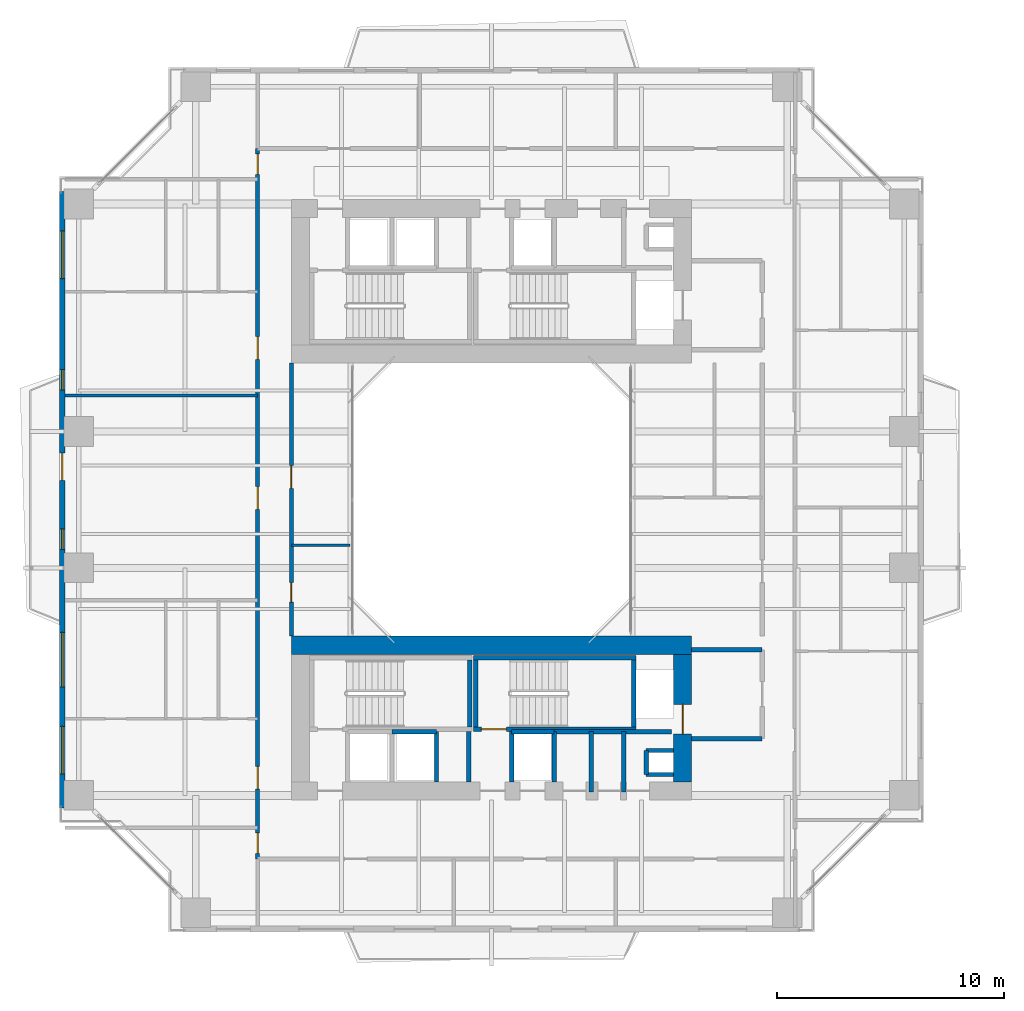
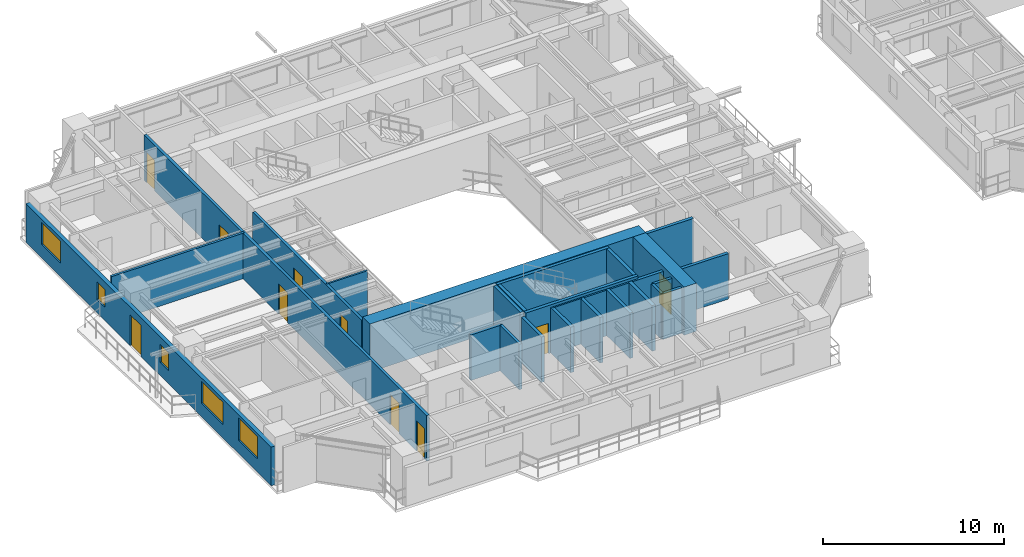
# One storey, part 14 of 23: 26 walls, 10 doors, 5 windows, 15 openings.
"""IFC4 building model written with IfcOpenShell, lengths in metres."""

import ifcopenshell
import ifcopenshell.guid

model = None  # the IFC model being written
_history = None  # IfcOwnerHistory: only IFC2X3 demands one
_inside = {}  # id of a spatial element -> (the spatial element, [elements in it])
_under = {}  # id of a project, library or spatial element -> (it, [spatial elements below it])
_declared = {}  # id of a project -> (the project, [libraries it declares])
_typed = {}  # id of a type object -> (the type object, [elements of that type])
_made_of = {}  # id of a material, layer set ... -> (it, [elements and type objects made of it])


def new_model(schema):
    """Start an empty IFC model of exactly this schema.

    Asked for "IFC4X3", IfcOpenShell would pick the latest addendum, in which some entities
    have other attributes; the version numbers below select the first issue.
    IFC2X3 requires an IfcOwnerHistory on every rooted entity: one is made here for all.
    """
    global model, _history
    if schema == "IFC4X3":
        model = ifcopenshell.file(schema_version=(4, 3, 0, 0))
    else:
        model = ifcopenshell.file(schema=schema)
    _inside.clear()
    _under.clear()
    _declared.clear()
    _typed.clear()
    _made_of.clear()
    _history = None
    if model.schema == "IFC2X3":
        org = make("IfcOrganization", Name="unknown")
        user = make(
            "IfcPersonAndOrganization",
            ThePerson=make("IfcPerson", FamilyName="unknown"),
            TheOrganization=org,
        )
        app = make(
            "IfcApplication",
            ApplicationDeveloper=org,
            Version="unknown",
            ApplicationFullName="unknown",
            ApplicationIdentifier="unknown",
        )
        _history = make(
            "IfcOwnerHistory",
            OwningUser=user,
            OwningApplication=app,
            ChangeAction="ADDED",
            CreationDate=0,
        )
    return model


def make(cls, **values):
    """One entity of the class cls with the attributes given. An attribute that is None is left unset."""
    return model.create_entity(
        cls, **{name: value for name, value in values.items() if value is not None}
    )


def rooted(cls, **values):
    """An entity with a GlobalId (a new one), such as an element, a storey or a relation."""
    return make(cls, GlobalId=ifcopenshell.guid.new(), OwnerHistory=_history, **values)


def si_unit(unit_type, name, prefix=None):
    """IfcSIUnit, for example si_unit("LENGTHUNIT", "METRE", prefix="MILLI")."""
    return make("IfcSIUnit", UnitType=unit_type, Prefix=prefix, Name=name)


def assignment(units):
    """IfcUnitAssignment: the units of a project."""
    return None if units is None else make("IfcUnitAssignment", Units=units)


def point(xyz):
    """IfcCartesianPoint."""
    return None if xyz is None else make("IfcCartesianPoint", Coordinates=xyz)


def direction(xyz):
    """IfcDirection."""
    return None if xyz is None else make("IfcDirection", DirectionRatios=xyz)


def frame(location, z_axis=None, x_axis=None):
    """IfcAxis2Placement3D, a coordinate frame: its origin and axes. An axis left out is left unset."""
    return make(
        "IfcAxis2Placement3D",
        Location=point(location),
        Axis=direction(z_axis),
        RefDirection=direction(x_axis),
    )


def frame_2d(location, x_axis=None):
    """IfcAxis2Placement2D, a coordinate frame in the plane: its origin and x axis."""
    return make(
        "IfcAxis2Placement2D", Location=point(location), RefDirection=direction(x_axis)
    )


def origin():
    """The frame at (0, 0, 0) with its axes left unset."""
    return frame((0.0, 0.0, 0.0))


def place(relative_to, where):
    """IfcLocalPlacement: puts the frame where relative to a parent placement (None: the world)."""
    return make(
        "IfcLocalPlacement", PlacementRelTo=relative_to, RelativePlacement=where
    )


def context(
    kind, dimensions, precision=None, world=None, true_north=None, identifier=None
):
    """IfcGeometricRepresentationContext, for example the 3D "Model" context."""
    return make(
        "IfcGeometricRepresentationContext",
        ContextIdentifier=identifier,
        ContextType=kind,
        CoordinateSpaceDimension=dimensions,
        Precision=precision,
        WorldCoordinateSystem=world,
        TrueNorth=true_north,
    )


def subcontext(parent, identifier, kind, view, scale=None):
    """IfcGeometricRepresentationSubContext, for example "Body" below "Model"."""
    return make(
        "IfcGeometricRepresentationSubContext",
        ContextIdentifier=identifier,
        ContextType=kind,
        ParentContext=parent,
        TargetScale=scale,
        TargetView=view,
    )


def project(units=None, contexts=None):
    """IfcProject with its units and contexts."""
    return rooted(
        "IfcProject",
        Name="project",
        RepresentationContexts=contexts,
        UnitsInContext=assignment(units),
    )


def spatial(cls, under=None, at=None, **own):
    """A site, building, storey or space (cls), placed at a placement, below another one or the project."""
    s = rooted(cls, ObjectPlacement=at, **own)
    if under is not None:
        _under.setdefault(under.id(), (under, []))[1].append(s)
    return s


def profile(cls, at=None, kind="AREA", **sizes):
    """A parametric profile (cls). Its sizes go by their IFC names, for example OverallWidth=200.0."""
    return make(cls, ProfileType=kind, Position=at, **sizes)


def rectangle(**sizes):
    """IfcRectangleProfileDef."""
    return profile("IfcRectangleProfileDef", **sizes)


def extrude(swept, where, along, depth):
    """IfcExtrudedAreaSolid: the profile swept, set in the frame where, extruded along a direction by depth."""
    return make(
        "IfcExtrudedAreaSolid",
        SweptArea=swept,
        Position=where,
        ExtrudedDirection=direction(along),
        Depth=depth,
    )


def shape(context_of_items, identifier, shape_type, items):
    """IfcShapeRepresentation: the items that make up one representation, for example the "Body"."""
    return make(
        "IfcShapeRepresentation",
        ContextOfItems=context_of_items,
        RepresentationIdentifier=identifier,
        RepresentationType=shape_type,
        Items=items,
    )


def source(mapping_origin, context_of_items, identifier, shape_type, items):
    """IfcRepresentationMap: a shape defined once, which mapped items show again and again."""
    return make(
        "IfcRepresentationMap",
        MappingOrigin=mapping_origin,
        MappedRepresentation=shape(context_of_items, identifier, shape_type, items),
    )


def transform(
    local_origin,
    x_axis=None,
    y_axis=None,
    z_axis=None,
    scale=None,
    scale2=None,
    scale3=None,
    uniform=True,
):
    """IfcCartesianTransformationOperator3D, or its non-uniform kind. x_axis, y_axis, z_axis: its Axis1, 2, 3."""
    if uniform:
        return make(
            "IfcCartesianTransformationOperator3D",
            Axis1=direction(x_axis),
            Axis2=direction(y_axis),
            LocalOrigin=point(local_origin),
            Scale=scale,
            Axis3=direction(z_axis),
        )
    return make(
        "IfcCartesianTransformationOperator3DnonUniform",
        Axis1=direction(x_axis),
        Axis2=direction(y_axis),
        LocalOrigin=point(local_origin),
        Scale=scale,
        Axis3=direction(z_axis),
        Scale2=scale2,
        Scale3=scale3,
    )


def mapped(mapping_source, mapping_target):
    """IfcMappedItem: shows the shape of a source again, moved by a transform."""
    return make(
        "IfcMappedItem", MappingSource=mapping_source, MappingTarget=mapping_target
    )


def material(Name=None, Category=None):
    """IfcMaterial."""
    return make("IfcMaterial", Name=Name, Category=Category)


def layer(
    of_material, thickness, ventilated=None, Name=None, Category=None, Priority=None
):
    """IfcMaterialLayer: one layer of a wall or slab, of a material (None: an air gap)."""
    return make(
        "IfcMaterialLayer",
        Material=of_material,
        LayerThickness=thickness,
        IsVentilated=ventilated,
        Name=Name,
        Category=Category,
        Priority=Priority,
    )


def layer_set(layers, Name=None):
    """IfcMaterialLayerSet."""
    return make("IfcMaterialLayerSet", MaterialLayers=layers, LayerSetName=Name)


def made_of(thing, what):
    """Note that an element or type object is made of a material, layer set ...; save() writes the relation."""
    if what is not None:
        _made_of.setdefault(what.id(), (what, []))[1].append(thing)
    return thing


def type_object(cls, material=None, **own):
    """A type object (cls), such as IfcWallType, which elements share."""
    return made_of(rooted(cls, **own), material)


def element(
    cls,
    number,
    at=None,
    inside=None,
    cuts=None,
    type_object=None,
    material=None,
    context=None,
    identifier="Body",
    shape_type=None,
    held_by="IfcProductDefinitionShape",
    body=None,
    shapes=None,
    **own,
):
    """One element of the class cls, such as IfcWall. Its Tag is "e" and its number.

    at: its placement. inside: the storey or other place that contains it. cuts: it is an
    opening in that element (IfcRelVoidsElement). A single representation is given by context,
    identifier, shape_type and body (its items); several are given by shapes. held_by: the class
    of the entity that holds the representations. save() writes the other relations.
    """
    e = rooted(cls, Tag="e%d" % number, ObjectPlacement=at, **own)
    if body is not None:
        shapes = [shape(context, identifier, shape_type, body)]
    if shapes is not None:
        e.Representation = make(held_by, Representations=shapes)
    if inside is not None:
        _inside.setdefault(inside.id(), (inside, []))[1].append(e)
    if cuts is not None:
        rooted(
            "IfcRelVoidsElement", RelatingBuildingElement=cuts, RelatedOpeningElement=e
        )
    if type_object is not None:
        _typed.setdefault(type_object.id(), (type_object, []))[1].append(e)
    return made_of(e, material)


def fill(opening, filler):
    """IfcRelFillsElement: the door or window that sits in an opening."""
    return rooted(
        "IfcRelFillsElement",
        RelatingOpeningElement=opening,
        RelatedBuildingElement=filler,
    )


def aggregate(whole, parts):
    """IfcRelAggregates: a whole, such as a stair, and the parts it consists of."""
    return rooted("IfcRelAggregates", RelatingObject=whole, RelatedObjects=parts)


def save(model, path):
    """Write the relations noted so far, then the file.

    IfcRelAggregates (storeys below a building ...), IfcRelContainedInSpatialStructure (elements
    in a storey), IfcRelDefinesByType, IfcRelAssociatesMaterial and IfcRelDeclares: one each for
    every whole, place, type object, material and project.
    """
    for whole, parts in _under.values():
        aggregate(whole, parts)
    for where, things in _inside.values():
        rooted(
            "IfcRelContainedInSpatialStructure",
            RelatedElements=things,
            RelatingStructure=where,
        )
    for kind, things in _typed.values():
        rooted("IfcRelDefinesByType", RelatedObjects=things, RelatingType=kind)
    for what, things in _made_of.values():
        rooted("IfcRelAssociatesMaterial", RelatedObjects=things, RelatingMaterial=what)
    for by, libraries in _declared.values():
        rooted("IfcRelDeclares", RelatingContext=by, RelatedDefinitions=libraries)
    model.write(path)


model = new_model("IFC4")

# Units and contexts
model_context = context("Model", 3, precision=1e-05, world=origin(), true_north=direction((0.0, 1.0)))
body_context = subcontext(model_context, "Body", "Model", "MODEL_VIEW")
ifc_project = project(units=[si_unit("LENGTHUNIT", "METRE"), si_unit("AREAUNIT", "SQUARE_METRE"), si_unit("VOLUMEUNIT", "CUBIC_METRE"), si_unit("PLANEANGLEUNIT", "RADIAN"), si_unit("MASSUNIT", "GRAM", prefix="KILO"), si_unit("THERMODYNAMICTEMPERATUREUNIT", "KELVIN"), si_unit("POWERUNIT", "WATT")], contexts=[model_context])

# Site, building, storey
site_placement = place(None, origin())
site = spatial("IfcSite", under=ifc_project, at=site_placement, CompositionType="ELEMENT")
building_placement = place(site_placement, origin())
building = spatial("IfcBuilding", under=site, at=building_placement, Name="Qiaomeng Ring Towers", CompositionType="ELEMENT")
storey_placement = place(building_placement, frame((0.0, 0.0, 86.0)))
storey = spatial("IfcBuildingStorey", under=building, at=storey_placement, Name="L24", CompositionType="ELEMENT", Elevation=86.0)

# Wall, openings, windows, door
ifc_material_1 = material(Name="Precast concrete C40", Category="concrete")
ifc_layer_1 = layer(ifc_material_1, 0.25, Name="Precast concrete C40")
ifc_layer_set_1 = layer_set([ifc_layer_1], Name="Precast concrete C40")
wall_type_1 = type_object("IfcWallType", Name="ARC-WL-EW1", PredefinedType="STANDARD", material=ifc_layer_set_1)
wall_1_placement = place(storey_placement, frame((0.125, 9.449951171875, 0.0), z_axis=(0.0, 0.0, 1.0), x_axis=(0.0, 1.0, 0.0)))
wall_1 = element("IfcWall", 1, at=wall_1_placement, inside=storey, type_object=wall_type_1, Name="L24 Tower 1 W Exterior Wall", PredefinedType="STANDARD", context=body_context, shape_type="SweptSolid", body=[
    extrude(rectangle(XDim=27.10009765625, YDim=0.25, at=frame_2d((13.550048828125, 0.0))), origin(), (0.0, 0.0, 1.0), 2.610107421875),
])
opening_1_placement = place(wall_1_placement, frame((14.39990234375, 0.0, 0.0)))
opening_1 = element("IfcOpeningElement", 2, at=opening_1_placement, cuts=wall_1, Name="Opening BD1", PredefinedType="OPENING", context=body_context, shape_type="SweptSolid", body=[
    extrude(rectangle(XDim=1.199951171875, YDim=2.10009765625, at=frame_2d((0.60009765625, 1.050048828125))), frame((0.0, 0.135009765625, 0.0), z_axis=(0.0, -1.0, 0.0), x_axis=(1.0, 0.0, 0.0)), (0.0, 0.0, 1.0), 0.27001953125),
])
opening_2_placement = place(wall_1_placement, frame((1.482421875, 0.0, 0.89990234375)))
opening_2 = element("IfcOpeningElement", 3, at=opening_2_placement, cuts=wall_1, Name="Opening WN4", PredefinedType="OPENING", context=body_context, shape_type="SweptSolid", body=[
    extrude(rectangle(XDim=2.10009765625, YDim=1.5, at=frame_2d((1.050048828125, 0.75))), frame((0.0, 0.135009765625, 0.0), z_axis=(0.0, -1.0, 0.0), x_axis=(1.0, 0.0, 0.0)), (0.0, 0.0, 1.0), 0.27001953125),
])
opening_3_placement = place(wall_1_placement, frame((23.2724609375, 0.0, 0.89990234375)))
opening_3 = element("IfcOpeningElement", 4, at=opening_3_placement, cuts=wall_1, Name="Opening WN4", PredefinedType="OPENING", context=body_context, shape_type="SweptSolid", body=[
    extrude(rectangle(XDim=2.10009765625, YDim=1.5, at=frame_2d((1.050048828125, 0.75))), frame((0.0, 0.135009765625, 0.0), z_axis=(0.0, -1.0, 0.0), x_axis=(1.0, 0.0, 0.0)), (0.0, 0.0, 1.0), 0.27001953125),
])
opening_4_placement = place(wall_1_placement, frame((5.3173828125, 0.0, 0.89990234375)))
opening_4 = element("IfcOpeningElement", 5, at=opening_4_placement, cuts=wall_1, Name="Opening WN6", PredefinedType="OPENING", context=body_context, shape_type="SweptSolid", body=[
    extrude(rectangle(XDim=2.39990234375, YDim=1.5, at=frame_2d((1.199951171875, 0.75))), frame((0.0, 0.135009765625, 0.0), z_axis=(0.0, -1.0, 0.0), x_axis=(1.0, 0.0, 0.0)), (0.0, 0.0, 1.0), 0.27001953125),
])
opening_5_placement = place(wall_1_placement, frame((11.364990234375, 0.0, 0.89990234375)))
opening_5 = element("IfcOpeningElement", 6, at=opening_5_placement, cuts=wall_1, Name="Opening WN5", PredefinedType="OPENING", context=body_context, shape_type="SweptSolid", body=[
    extrude(rectangle(XDim=0.89990234375, YDim=1.199951171875, at=frame_2d((0.449951171875, 0.60009765625))), frame((0.0, 0.135009765625, 0.0), z_axis=(0.0, -1.0, 0.0), x_axis=(1.0, 0.0, 0.0)), (0.0, 0.0, 1.0), 0.27001953125),
])
opening_6_placement = place(wall_1_placement, frame((18.364990234375, 0.0, 0.89990234375)))
opening_6 = element("IfcOpeningElement", 7, at=opening_6_placement, cuts=wall_1, Name="Opening WN5", PredefinedType="OPENING", context=body_context, shape_type="SweptSolid", body=[
    extrude(rectangle(XDim=0.89990234375, YDim=1.199951171875, at=frame_2d((0.449951171875, 0.60009765625))), frame((0.0, 0.135009765625, 0.0), z_axis=(0.0, -1.0, 0.0), x_axis=(1.0, 0.0, 0.0)), (0.0, 0.0, 1.0), 0.27001953125),
])
ifc_material_2 = material(Name="Low-E dark-grey laminated double glazing", Category="glass")
window_type_1 = type_object("IfcWindowType", Name="ARC-WN-4", PartitioningType="TRIPLE_PANEL_VERTICAL", PredefinedType="WINDOW", material=ifc_material_2)
shared_shape_1 = source(origin(), body_context, "Body", "SweptSolid", [
    extrude(rectangle(XDim=2.10009765625, YDim=1.5, at=frame_2d((1.050048828125, 0.75))), frame((0.0, 0.030029296875, 0.0), z_axis=(0.0, -1.0, 0.0), x_axis=(1.0, 0.0, 0.0)), (0.0, 0.0, 1.0), 0.06005859375),
])
window_1_placement = place(opening_2_placement, origin())
window_1 = element("IfcWindow", 8, at=window_1_placement, inside=storey, type_object=window_type_1, Name="L24 Exterior Window WN6", OverallHeight=1.5, OverallWidth=2.10009765625, PartitioningType="TRIPLE_PANEL_VERTICAL", PredefinedType="WINDOW", context=body_context, shape_type="MappedRepresentation", body=[
    mapped(shared_shape_1, transform((0.0, 0.0, 0.0), x_axis=(1.0, 0.0, 0.0), y_axis=(0.0, 1.0, 0.0), z_axis=(0.0, 0.0, 1.0), scale=1.0)),
])
fill(opening_2, window_1)
window_2_placement = place(opening_3_placement, origin())
window_2 = element("IfcWindow", 9, at=window_2_placement, inside=storey, type_object=window_type_1, Name="L24 Exterior Window WN4", OverallHeight=1.5, OverallWidth=2.10009765625, PartitioningType="TRIPLE_PANEL_VERTICAL", PredefinedType="WINDOW", context=body_context, shape_type="MappedRepresentation", body=[
    mapped(shared_shape_1, transform((0.0, 0.0, 0.0), x_axis=(1.0, 0.0, 0.0), y_axis=(0.0, 1.0, 0.0), z_axis=(0.0, 0.0, 1.0), scale=1.0)),
])
fill(opening_3, window_2)
door_type_1 = type_object("IfcDoorType", Name="ARC-DR-BD1", OperationType="NOTDEFINED", PredefinedType="DOOR", material=ifc_material_2)
shared_shape_2 = source(origin(), body_context, "Body", "SweptSolid", [
    extrude(rectangle(XDim=1.199951171875, YDim=2.10009765625, at=frame_2d((0.60009765625, 1.050048828125))), frame((0.0, 0.02490234375, 0.0), z_axis=(0.0, -1.0, 0.0), x_axis=(1.0, 0.0, 0.0)), (0.0, 0.0, 1.0), 0.050048828125),
])
door_1_placement = place(opening_1_placement, frame((1.199951171875, 0.0, 0.0), z_axis=(0.0, 0.0, 1.0), x_axis=(-1.0, 0.0, 0.0)))
door_1 = element("IfcDoor", 10, at=door_1_placement, inside=storey, type_object=door_type_1, Name="L24 W Balcony Glazed Door", OperationType="SINGLE_SWING_LEFT", OverallHeight=2.10009765625, OverallWidth=1.199951171875, PredefinedType="DOOR", context=body_context, shape_type="MappedRepresentation", body=[
    mapped(shared_shape_2, transform((0.0, 0.0, 0.0), x_axis=(1.0, 0.0, 0.0), y_axis=(0.0, 1.0, 0.0), z_axis=(0.0, 0.0, 1.0), scale=1.0)),
])
fill(opening_1, door_1)
window_type_2 = type_object("IfcWindowType", Name="ARC-WN-6", PartitioningType="TRIPLE_PANEL_VERTICAL", PredefinedType="WINDOW", material=ifc_material_2)
shared_shape_3 = source(origin(), body_context, "Body", "SweptSolid", [
    extrude(rectangle(XDim=2.39990234375, YDim=1.5, at=frame_2d((1.199951171875, 0.75))), frame((0.0, 0.030029296875, 0.0), z_axis=(0.0, -1.0, 0.0), x_axis=(1.0, 0.0, 0.0)), (0.0, 0.0, 1.0), 0.06005859375),
])
window_3_placement = place(opening_4_placement, origin())
window_3 = element("IfcWindow", 11, at=window_3_placement, inside=storey, type_object=window_type_2, Name="L24 Exterior Window WN6", OverallHeight=1.5, OverallWidth=2.39990234375, PartitioningType="TRIPLE_PANEL_VERTICAL", PredefinedType="WINDOW", context=body_context, shape_type="MappedRepresentation", body=[
    mapped(shared_shape_3, transform((0.0, 0.0, 0.0), x_axis=(1.0, 0.0, 0.0), y_axis=(0.0, 1.0, 0.0), z_axis=(0.0, 0.0, 1.0), scale=1.0)),
])
fill(opening_4, window_3)
window_type_3 = type_object("IfcWindowType", Name="ARC-WN-5", PartitioningType="SINGLE_PANEL", PredefinedType="WINDOW", material=ifc_material_2)
shared_shape_4 = source(origin(), body_context, "Body", "SweptSolid", [
    extrude(rectangle(XDim=0.89990234375, YDim=1.199951171875, at=frame_2d((0.449951171875, 0.60009765625))), frame((0.0, 0.030029296875, 0.0), z_axis=(0.0, -1.0, 0.0), x_axis=(1.0, 0.0, 0.0)), (0.0, 0.0, 1.0), 0.06005859375),
])
window_4_placement = place(opening_5_placement, origin())
window_4 = element("IfcWindow", 12, at=window_4_placement, inside=storey, type_object=window_type_3, Name="L24 Exterior Window WN5", OverallHeight=1.199951171875, OverallWidth=0.89990234375, PartitioningType="SINGLE_PANEL", PredefinedType="WINDOW", context=body_context, shape_type="MappedRepresentation", body=[
    mapped(shared_shape_4, transform((0.0, 0.0, 0.0), x_axis=(1.0, 0.0, 0.0), y_axis=(0.0, 1.0, 0.0), z_axis=(0.0, 0.0, 1.0), scale=1.0)),
])
fill(opening_5, window_4)
window_5_placement = place(opening_6_placement, origin())
window_5 = element("IfcWindow", 13, at=window_5_placement, inside=storey, type_object=window_type_3, Name="L24 Exterior Window WN5", OverallHeight=1.199951171875, OverallWidth=0.89990234375, PartitioningType="SINGLE_PANEL", PredefinedType="WINDOW", context=body_context, shape_type="MappedRepresentation", body=[
    mapped(shared_shape_4, transform((0.0, 0.0, 0.0), x_axis=(1.0, 0.0, 0.0), y_axis=(0.0, 1.0, 0.0), z_axis=(0.0, 0.0, 1.0), scale=1.0)),
])
fill(opening_6, window_5)

# Walls
ifc_material_3 = material(Name="Autoclaved aerated concrete block", Category="concrete")
ifc_layer_2 = layer(ifc_material_3, 0.199951171875, Name="Autoclaved aerated concrete block")
ifc_layer_set_2 = layer_set([ifc_layer_2], Name="Autoclaved aerated concrete block")
wall_type_2 = type_object("IfcWallType", Name="ARC-WL-PW1", PredefinedType="PARTITIONING", material=ifc_layer_set_2)
for number, where, z_axis, x_axis, name in (
    (14, (27.800048828125, 16.39990234375, 0.0), (0.0, 0.0, 1.0), (1.0, 0.0, 0.0), "L24 Interior Wall PW1"),
    (15, (27.800048828125, 12.5, 0.0), (0.0, 0.0, 1.0), (1.0, 0.0, 0.0), "L24 Interior Wall PW1"),
):
    element("IfcWall", number, at=place(storey_placement, frame(where, z_axis=z_axis, x_axis=x_axis)), inside=storey, type_object=wall_type_2, Name=name, PredefinedType="PARTITIONING", context=body_context, shape_type="SweptSolid", body=[
        extrude(rectangle(XDim=3.099853515625, YDim=0.199951171875, at=frame_2d((1.5498046875, 0.0))), origin(), (0.0, 0.0, 1.0), 3.070068359375),
    ])
for number, where, z_axis, x_axis, name in (
    (16, (18.0, 10.60009765625, 0.0), (0.0, 0.0, 1.0), (0.0, 1.0, 0.0), "L24 Interior Wall PW1"),
    (17, (19.8798828125, 10.60009765625, 0.0), (0.0, 0.0, 1.0), (0.0, 1.0, 0.0), "L24 Interior Wall PW1"),
):
    element("IfcWall", number, at=place(storey_placement, frame(where, z_axis=z_axis, x_axis=x_axis)), inside=storey, type_object=wall_type_2, Name=name, PredefinedType="PARTITIONING", context=body_context, shape_type="SweptSolid", body=[
        extrude(rectangle(XDim=2.2099609375, YDim=0.199951171875, at=frame_2d((1.10498046875, 0.0))), origin(), (0.0, 0.0, 1.0), 3.070068359375),
    ])
wall_2_placement = place(storey_placement, frame((24.820068359375, 10.14990234375, 0.0), z_axis=(0.0, 0.0, 1.0), x_axis=(0.0, 1.0, 0.0)))
element("IfcWall", 18, at=wall_2_placement, inside=storey, type_object=wall_type_2, Name="L24 Interior Wall PW1", PredefinedType="PARTITIONING", context=body_context, shape_type="SweptSolid", body=[
    extrude(rectangle(XDim=2.650146484375, YDim=0.199951171875, at=frame_2d((1.3251953125, 0.0))), origin(), (0.0, 0.0, 1.0), 3.070068359375),
])
wall_3_placement = place(storey_placement, frame((21.75, 10.60009765625, 0.0), z_axis=(0.0, 0.0, 1.0), x_axis=(0.0, 1.0, 0.0)))
element("IfcWall", 19, at=wall_3_placement, inside=storey, type_object=wall_type_2, Name="L24 Interior Wall PW1", PredefinedType="PARTITIONING", context=body_context, shape_type="SweptSolid", body=[
    extrude(rectangle(XDim=2.199951171875, YDim=0.199951171875, at=frame_2d((1.10009765625, 0.0))), origin(), (0.0, 0.0, 1.0), 3.070068359375),
])
wall_4_placement = place(storey_placement, frame((23.389892578125, 10.14990234375, 0.0), z_axis=(0.0, 0.0, 1.0), x_axis=(0.0, 1.0, 0.0)))
element("IfcWall", 20, at=wall_4_placement, inside=storey, type_object=wall_type_2, Name="L24 Interior Wall PW1", PredefinedType="PARTITIONING", context=body_context, shape_type="SweptSolid", body=[
    extrude(rectangle(XDim=2.650146484375, YDim=0.199951171875, at=frame_2d((1.3251953125, 0.0))), origin(), (0.0, 0.0, 1.0), 3.070068359375),
])
wall_5_placement = place(storey_placement, frame((21.75, 12.800048828125, 0.0), z_axis=(0.0, 0.0, 1.0), x_axis=(1.0, 0.0, 0.0)))
element("IfcWall", 21, at=wall_5_placement, inside=storey, type_object=wall_type_2, Name="L24 Interior Wall PW1", PredefinedType="PARTITIONING", context=body_context, shape_type="SweptSolid", body=[
    extrude(rectangle(XDim=5.169921875, YDim=0.199951171875, at=frame_2d((2.5849609375, 0.0))), origin(), (0.0, 0.0, 1.0), 3.070068359375),
])

# Wall, openings, doors
ifc_layer_3 = layer(ifc_material_3, 0.179931640625, Name="Autoclaved aerated concrete block")
ifc_layer_set_3 = layer_set([ifc_layer_3], Name="Autoclaved aerated concrete block")
wall_type_3 = type_object("IfcWallType", Name="ARC-WL-PW2", PredefinedType="PARTITIONING", material=ifc_layer_set_3)
wall_6_placement = place(storey_placement, frame((8.719970703125, 7.2099609375, 0.0), z_axis=(0.0, 0.0, 1.0), x_axis=(0.0, 1.0, 0.0)))
wall_6 = element("IfcWall", 22, at=wall_6_placement, inside=storey, type_object=wall_type_3, Name="L24 Interior Wall PW2", PredefinedType="PARTITIONING", context=body_context, shape_type="SweptSolid", body=[
    extrude(rectangle(XDim=31.22998046875, YDim=0.179931640625, at=frame_2d((15.614990234375, 0.0))), origin(), (0.0, 0.0, 1.0), 3.070068359375),
])
opening_7_placement = place(wall_6_placement, frame((30.090087890625, 0.0, 0.0)))
opening_7 = element("IfcOpeningElement", 23, at=opening_7_placement, cuts=wall_6, Name="Opening ID1", PredefinedType="OPENING", context=body_context, shape_type="SweptSolid", body=[
    extrude(rectangle(XDim=0.89990234375, YDim=2.050048828125, at=frame_2d((0.449951171875, 1.02490234375))), frame((0.0, 0.099853515625, 0.0), z_axis=(0.0, -1.0, 0.0), x_axis=(1.0, 0.0, 0.0)), (0.0, 0.0, 1.0), 0.199951171875),
])
opening_8_placement = place(wall_6_placement, frame((0.239990234375, 0.0, 0.0)))
opening_8 = element("IfcOpeningElement", 24, at=opening_8_placement, cuts=wall_6, Name="Opening ID1", PredefinedType="OPENING", context=body_context, shape_type="SweptSolid", body=[
    extrude(rectangle(XDim=0.89990234375, YDim=2.050048828125, at=frame_2d((0.449951171875, 1.02490234375))), frame((0.0, 0.099853515625, 0.0), z_axis=(0.0, -1.0, 0.0), x_axis=(1.0, 0.0, 0.0)), (0.0, 0.0, 1.0), 0.199951171875),
])
opening_9_placement = place(wall_6_placement, frame((3.070068359375, 0.0, 0.0)))
opening_9 = element("IfcOpeningElement", 25, at=opening_9_placement, cuts=wall_6, Name="Opening FD4", PredefinedType="OPENING", context=body_context, shape_type="SweptSolid", body=[
    extrude(rectangle(XDim=1.0, YDim=2.050048828125, at=frame_2d((0.5, 1.02490234375))), frame((0.0, 0.099853515625, 0.0), z_axis=(0.0, -1.0, 0.0), x_axis=(1.0, 0.0, 0.0)), (0.0, 0.0, 1.0), 0.199951171875),
])
opening_10_placement = place(wall_6_placement, frame((15.3701171875, 0.0, 0.0)))
opening_10 = element("IfcOpeningElement", 26, at=opening_10_placement, cuts=wall_6, Name="Opening FD4", PredefinedType="OPENING", context=body_context, shape_type="SweptSolid", body=[
    extrude(rectangle(XDim=1.0, YDim=2.050048828125, at=frame_2d((0.5, 1.02490234375))), frame((0.0, 0.099853515625, 0.0), z_axis=(0.0, -1.0, 0.0), x_axis=(1.0, 0.0, 0.0)), (0.0, 0.0, 1.0), 0.199951171875),
])
opening_11_placement = place(wall_6_placement, frame((21.9599609375, 0.0, 0.0)))
opening_11 = element("IfcOpeningElement", 27, at=opening_11_placement, cuts=wall_6, Name="Opening FD4", PredefinedType="OPENING", context=body_context, shape_type="SweptSolid", body=[
    extrude(rectangle(XDim=1.0, YDim=2.050048828125, at=frame_2d((0.5, 1.02490234375))), frame((0.0, 0.099853515625, 0.0), z_axis=(0.0, -1.0, 0.0), x_axis=(1.0, 0.0, 0.0)), (0.0, 0.0, 1.0), 0.199951171875),
])
ifc_material_4 = material(Name="Engineered fire-rated oak timber", Category="wood")
door_type_2 = type_object("IfcDoorType", Name="ARC-DR-FD4", OperationType="NOTDEFINED", PredefinedType="DOOR", material=ifc_material_4)
shared_shape_5 = source(origin(), body_context, "Body", "SweptSolid", [
    extrude(rectangle(XDim=1.0, YDim=2.050048828125, at=frame_2d((0.5, 1.02490234375))), frame((0.0, 0.02490234375, 0.0), z_axis=(0.0, -1.0, 0.0), x_axis=(1.0, 0.0, 0.0)), (0.0, 0.0, 1.0), 0.050048828125),
])
door_2_placement = place(opening_9_placement, origin())
door_2 = element("IfcDoor", 28, at=door_2_placement, inside=storey, type_object=door_type_2, Name="L24 Door FD4", OperationType="SINGLE_SWING_LEFT", OverallHeight=2.050048828125, OverallWidth=1.0, PredefinedType="DOOR", context=body_context, shape_type="MappedRepresentation", body=[
    mapped(shared_shape_5, transform((0.0, 0.0, 0.0), x_axis=(1.0, 0.0, 0.0), y_axis=(0.0, 1.0, 0.0), z_axis=(0.0, 0.0, 1.0), scale=1.0)),
])
fill(opening_9, door_2)
door_3_placement = place(opening_10_placement, origin())
door_3 = element("IfcDoor", 29, at=door_3_placement, inside=storey, type_object=door_type_2, Name="L24 Door FD4", OperationType="SINGLE_SWING_RIGHT", OverallHeight=2.050048828125, OverallWidth=1.0, PredefinedType="DOOR", context=body_context, shape_type="MappedRepresentation", body=[
    mapped(shared_shape_5, transform((0.0, 0.0, 0.0), x_axis=(1.0, 0.0, 0.0), y_axis=(0.0, 1.0, 0.0), z_axis=(0.0, 0.0, 1.0), scale=1.0)),
])
fill(opening_10, door_3)
door_4_placement = place(opening_11_placement, origin())
door_4 = element("IfcDoor", 30, at=door_4_placement, inside=storey, type_object=door_type_2, Name="L24 Door FD4", OperationType="SINGLE_SWING_RIGHT", OverallHeight=2.050048828125, OverallWidth=1.0, PredefinedType="DOOR", context=body_context, shape_type="MappedRepresentation", body=[
    mapped(shared_shape_5, transform((0.0, 0.0, 0.0), x_axis=(1.0, 0.0, 0.0), y_axis=(0.0, 1.0, 0.0), z_axis=(0.0, 0.0, 1.0), scale=1.0)),
])
fill(opening_11, door_4)
ifc_material_5 = material(Name="Engineered oak timber", Category="wood")
door_type_3 = type_object("IfcDoorType", Name="ARC-DR-ID1", OperationType="NOTDEFINED", PredefinedType="DOOR", material=ifc_material_5)
shared_shape_6 = source(origin(), body_context, "Body", "SweptSolid", [
    extrude(rectangle(XDim=0.89990234375, YDim=2.050048828125, at=frame_2d((0.449951171875, 1.02490234375))), frame((0.0, 0.02490234375, 0.0), z_axis=(0.0, -1.0, 0.0), x_axis=(1.0, 0.0, 0.0)), (0.0, 0.0, 1.0), 0.050048828125),
])
door_5_placement = place(opening_7_placement, origin())
door_5 = element("IfcDoor", 31, at=door_5_placement, inside=storey, type_object=door_type_3, Name="L24 Door ID1", OperationType="SINGLE_SWING_RIGHT", OverallHeight=2.050048828125, OverallWidth=0.89990234375, PredefinedType="DOOR", context=body_context, shape_type="MappedRepresentation", body=[
    mapped(shared_shape_6, transform((0.0, 0.0, 0.0), x_axis=(1.0, 0.0, 0.0), y_axis=(0.0, 1.0, 0.0), z_axis=(0.0, 0.0, 1.0), scale=1.0)),
])
fill(opening_7, door_5)
door_6_placement = place(opening_8_placement, origin())
door_6 = element("IfcDoor", 32, at=door_6_placement, inside=storey, type_object=door_type_3, Name="L24 Door ID1", OperationType="SINGLE_SWING_LEFT", OverallHeight=2.050048828125, OverallWidth=0.89990234375, PredefinedType="DOOR", context=body_context, shape_type="MappedRepresentation", body=[
    mapped(shared_shape_6, transform((0.0, 0.0, 0.0), x_axis=(1.0, 0.0, 0.0), y_axis=(0.0, 1.0, 0.0), z_axis=(0.0, 0.0, 1.0), scale=1.0)),
])
fill(opening_8, door_6)

wall_7_placement = place(storey_placement, frame((10.199951171875, 17.0, 0.0), z_axis=(0.0, 0.0, 1.0), x_axis=(0.0, 1.0, 0.0)))
wall_7 = element("IfcWall", 33, at=wall_7_placement, inside=storey, type_object=wall_type_3, Name="L24 Interior Wall PW2", PredefinedType="PARTITIONING", context=body_context, shape_type="SweptSolid", body=[
    extrude(rectangle(XDim=12.0, YDim=0.179931640625, at=frame_2d((6.0, 0.0))), origin(), (0.0, 0.0, 1.0), 3.070068359375),
])
opening_12_placement = place(wall_7_placement, frame((1.5, 0.0, 0.0)))
opening_12 = element("IfcOpeningElement", 34, at=opening_12_placement, cuts=wall_7, Name="Opening ID2", PredefinedType="OPENING", context=body_context, shape_type="SweptSolid", body=[
    extrude(rectangle(XDim=0.85009765625, YDim=2.050048828125, at=frame_2d((0.425048828125, 1.02490234375))), frame((0.0, 0.099853515625, 0.0), z_axis=(0.0, -1.0, 0.0), x_axis=(1.0, 0.0, 0.0)), (0.0, 0.0, 1.0), 0.199951171875),
])
opening_13_placement = place(wall_7_placement, frame((6.5, 0.0, 0.0)))
opening_13 = element("IfcOpeningElement", 35, at=opening_13_placement, cuts=wall_7, Name="Opening FD4", PredefinedType="OPENING", context=body_context, shape_type="SweptSolid", body=[
    extrude(rectangle(XDim=1.0, YDim=2.050048828125, at=frame_2d((0.5, 1.02490234375))), frame((0.0, 0.099853515625, 0.0), z_axis=(0.0, -1.0, 0.0), x_axis=(1.0, 0.0, 0.0)), (0.0, 0.0, 1.0), 0.199951171875),
])
door_7_placement = place(opening_13_placement, origin())
door_7 = element("IfcDoor", 36, at=door_7_placement, inside=storey, type_object=door_type_2, Name="L24 Door FD4", OperationType="SINGLE_SWING_RIGHT", OverallHeight=2.050048828125, OverallWidth=1.0, PredefinedType="DOOR", context=body_context, shape_type="MappedRepresentation", body=[
    mapped(shared_shape_5, transform((0.0, 0.0, 0.0), x_axis=(1.0, 0.0, 0.0), y_axis=(0.0, 1.0, 0.0), z_axis=(0.0, 0.0, 1.0), scale=1.0)),
])
fill(opening_13, door_7)
ifc_material_6 = material(Name="Moisture-resistant engineered timber", Category="wood")
door_type_4 = type_object("IfcDoorType", Name="ARC-DR-ID2", OperationType="NOTDEFINED", PredefinedType="DOOR", material=ifc_material_6)
shared_shape_7 = source(origin(), body_context, "Body", "SweptSolid", [
    extrude(rectangle(XDim=0.85009765625, YDim=2.050048828125, at=frame_2d((0.425048828125, 1.02490234375))), frame((0.0, 0.02490234375, 0.0), z_axis=(0.0, -1.0, 0.0), x_axis=(1.0, 0.0, 0.0)), (0.0, 0.0, 1.0), 0.050048828125),
])
door_8_placement = place(opening_12_placement, origin())
door_8 = element("IfcDoor", 37, at=door_8_placement, inside=storey, type_object=door_type_4, Name="L24 Door ID2", OperationType="SINGLE_SWING_LEFT", OverallHeight=2.050048828125, OverallWidth=0.85009765625, PredefinedType="DOOR", context=body_context, shape_type="MappedRepresentation", body=[
    mapped(shared_shape_7, transform((0.0, 0.0, 0.0), x_axis=(1.0, 0.0, 0.0), y_axis=(0.0, 1.0, 0.0), z_axis=(0.0, 0.0, 1.0), scale=1.0)),
])
fill(opening_12, door_8)

# Walls
ifc_material_7 = material(Name="Gypsum fireboard steel-stud partition", Category="steel")
ifc_layer_4 = layer(ifc_material_7, 0.14990234375, Name="Gypsum fireboard steel-stud partition")
ifc_layer_set_4 = layer_set([ifc_layer_4], Name="Gypsum fireboard steel-stud partition")
wall_type_4 = type_object("IfcWallType", Name="ARC-WL-PW3", PredefinedType="PARTITIONING", material=ifc_layer_set_4)
wall_8_placement = place(storey_placement, frame((0.25, 27.580078125, 0.0), z_axis=(0.0, 0.0, 1.0), x_axis=(1.0, 0.0, 0.0)))
element("IfcWall", 38, at=wall_8_placement, inside=storey, type_object=wall_type_4, Name="L24 Interior Wall PW3", PredefinedType="PARTITIONING", context=body_context, shape_type="SweptSolid", body=[
    extrude(rectangle(XDim=8.469970703125, YDim=0.14990234375, at=frame_2d((4.23486328125, 0.0))), origin(), (0.0, 0.0, 1.0), 3.070068359375),
])
ifc_material_8 = material(Name="Moisture-resistant gypsum steel-stud partition", Category="steel")
ifc_layer_5 = layer(ifc_material_8, 0.1201171875, Name="Moisture-resistant gypsum steel-stud partition")
ifc_layer_set_5 = layer_set([ifc_layer_5], Name="Moisture-resistant gypsum steel-stud partition")
wall_type_5 = type_object("IfcWallType", Name="ARC-WL-PW4", PredefinedType="PLUMBINGWALL", material=ifc_layer_set_5)
wall_9_placement = place(storey_placement, frame((10.199951171875, 21.0, 0.0), z_axis=(0.0, 0.0, 1.0), x_axis=(1.0, 0.0, 0.0)))
element("IfcWall", 39, at=wall_9_placement, inside=storey, type_object=wall_type_5, Name="L24 Interior Wall PW4", PredefinedType="PLUMBINGWALL", context=body_context, shape_type="SweptSolid", body=[
    extrude(rectangle(XDim=2.580078125, YDim=0.1201171875, at=frame_2d((1.2900390625, 0.0))), origin(), (0.0, 0.0, 1.0), 3.070068359375),
])
ifc_material_9 = material(Name="Concrete C40", Category="concrete")
ifc_layer_6 = layer(ifc_material_9, 0.199951171875, Name="Concrete C40")
ifc_layer_set_6 = layer_set([ifc_layer_6], Name="Concrete C40")
wall_type_6 = type_object("IfcWallType", Name="STR-WL-STSHAFT", PredefinedType="SHEAR", material=ifc_layer_set_6)
wall_10_placement = place(storey_placement, frame((25.800048828125, 10.919921875, 0.0), z_axis=(0.0, 0.0, 1.0), x_axis=(0.0, 1.0, 0.0)))
element("IfcWall", 40, at=wall_10_placement, inside=storey, type_object=wall_type_6, Name="L24 Riser RSR1 West Shaft Wall S", PredefinedType="SHEAR", context=body_context, shape_type="SweptSolid", body=[
    extrude(rectangle(XDim=1.06005859375, YDim=0.179931640625, at=frame_2d((0.530029296875, 0.0))), origin(), (0.0, 0.0, 1.0), 3.070068359375),
])
for number, where, z_axis, x_axis, name in (
    (41, (25.800048828125, 11.97998046875, 0.0), (0.0, 0.0, 1.0), (1.0, 0.0, 0.0), "L24 Riser RSR1 North Shaft Wall S"),
    (42, (25.800048828125, 10.919921875, 0.0), (0.0, 0.0, 1.0), (1.0, 0.0, 0.0), "L24 Riser RSR1 South Shaft Wall S"),
):
    element("IfcWall", number, at=place(storey_placement, frame(where, z_axis=z_axis, x_axis=x_axis)), inside=storey, type_object=wall_type_6, Name=name, PredefinedType="SHEAR", context=body_context, shape_type="SweptSolid", body=[
        extrude(rectangle(XDim=1.199951171875, YDim=0.179931640625, at=frame_2d((0.60009765625, 0.0))), origin(), (0.0, 0.0, 1.0), 3.070068359375),
    ])
wall_11_placement = place(storey_placement, frame((14.6201171875, 12.800048828125, 0.0), z_axis=(0.0, 0.0, 1.0), x_axis=(1.0, 0.0, 0.0)))
element("IfcWall", 43, at=wall_11_placement, inside=storey, type_object=wall_type_6, Name="L24 Lift LP4 Shaft Back Wall", PredefinedType="SHEAR", context=body_context, shape_type="SweptSolid", body=[
    extrude(rectangle(XDim=1.9599609375, YDim=0.179931640625, at=frame_2d((0.97998046875, 0.0))), origin(), (0.0, 0.0, 1.0), 3.070068359375),
])
wall_12_placement = place(storey_placement, frame((16.580078125, 10.60009765625, 0.0), z_axis=(0.0, 0.0, 1.0), x_axis=(0.0, 1.0, 0.0)))
element("IfcWall", 44, at=wall_12_placement, inside=storey, type_object=wall_type_6, Name="L24 Lift LP4 East Shaft Wall", PredefinedType="SHEAR", context=body_context, shape_type="SweptSolid", body=[
    extrude(rectangle(XDim=2.199951171875, YDim=0.179931640625, at=frame_2d((1.10009765625, 0.0))), origin(), (0.0, 0.0, 1.0), 3.070068359375),
])
wall_13_placement = place(storey_placement, frame((19.8798828125, 12.800048828125, 0.0), z_axis=(0.0, 0.0, 1.0), x_axis=(1.0, 0.0, 0.0)))
element("IfcWall", 45, at=wall_13_placement, inside=storey, type_object=wall_type_6, Name="L24 Lift LP2 Shaft Back Wall", PredefinedType="SHEAR", context=body_context, shape_type="SweptSolid", body=[
    extrude(rectangle(XDim=1.8701171875, YDim=0.179931640625, at=frame_2d((0.93505859375, 0.0))), origin(), (0.0, 0.0, 1.0), 3.070068359375),
])
wall_14_placement = place(storey_placement, frame((18.050048828125, 13.010009765625, 0.0), z_axis=(0.0, 0.0, 1.0), x_axis=(0.0, 1.0, 0.0)))
element("IfcWall", 46, at=wall_14_placement, inside=storey, type_object=wall_type_6, Name="L24 Stair ST3 East Shaft Shear Wall", PredefinedType="SHEAR", context=body_context, shape_type="SweptSolid", body=[
    extrude(rectangle(XDim=2.93994140625, YDim=0.199951171875, at=frame_2d((1.469970703125, 0.0))), origin(), (0.0, 0.0, 1.0), 3.25),
])

# Wall, opening, door
wall_15_placement = place(storey_placement, frame((18.199951171875, 12.909912109375, 0.0), z_axis=(0.0, 0.0, 1.0), x_axis=(1.0, 0.0, 0.0)))
wall_15 = element("IfcWall", 47, at=wall_15_placement, inside=storey, type_object=wall_type_6, Name="L24 Stair ST4 South Shaft Shear Wall", PredefinedType="SHEAR", context=body_context, shape_type="SweptSolid", body=[
    extrude(rectangle(XDim=7.150146484375, YDim=0.199951171875, at=frame_2d((3.5751953125, 0.0))), origin(), (0.0, 0.0, 1.0), 3.25),
])
opening_14_placement = place(wall_15_placement, frame((0.35009765625, 0.0, 0.0)))
opening_14 = element("IfcOpeningElement", 48, at=opening_14_placement, cuts=wall_15, Name="Opening FD3", PredefinedType="OPENING", context=body_context, shape_type="SweptSolid", body=[
    extrude(rectangle(XDim=1.10009765625, YDim=2.050048828125, at=frame_2d((0.550048828125, 1.02490234375))), frame((0.0, 0.10986328125, 0.0), z_axis=(0.0, -1.0, 0.0), x_axis=(1.0, 0.0, 0.0)), (0.0, 0.0, 1.0), 0.219970703125),
])
ifc_material_10 = material(Name="Galvanised steel", Category="steel")
door_type_5 = type_object("IfcDoorType", Name="ARC-DR-FD3", OperationType="NOTDEFINED", PredefinedType="DOOR", material=ifc_material_10)
shared_shape_8 = source(origin(), body_context, "Body", "SweptSolid", [
    extrude(rectangle(XDim=1.10009765625, YDim=2.050048828125, at=frame_2d((0.550048828125, 1.02490234375))), frame((0.0, 0.02490234375, 0.0), z_axis=(0.0, -1.0, 0.0), x_axis=(1.0, 0.0, 0.0)), (0.0, 0.0, 1.0), 0.050048828125),
])
door_9_placement = place(opening_14_placement, frame((1.10009765625, 0.0, 0.0), z_axis=(0.0, 0.0, 1.0), x_axis=(-1.0, 0.0, 0.0)))
door_9 = element("IfcDoor", 49, at=door_9_placement, inside=storey, type_object=door_type_5, Name="L24 Stair ST4 Exit Door", OperationType="SINGLE_SWING_RIGHT", OverallHeight=2.050048828125, OverallWidth=1.10009765625, PredefinedType="DOOR", context=body_context, shape_type="MappedRepresentation", body=[
    mapped(shared_shape_8, transform((0.0, 0.0, 0.0), x_axis=(1.0, 0.0, 0.0), y_axis=(0.0, 1.0, 0.0), z_axis=(0.0, 0.0, 1.0), scale=1.0)),
])
fill(opening_14, door_9)

# Walls
wall_16_placement = place(storey_placement, frame((18.199951171875, 16.050048828125, 0.0), z_axis=(0.0, 0.0, 1.0), x_axis=(1.0, 0.0, 0.0)))
element("IfcWall", 50, at=wall_16_placement, inside=storey, type_object=wall_type_6, Name="L24 Stair ST4 North Shaft Shear Wall", PredefinedType="SHEAR", context=body_context, shape_type="SweptSolid", body=[
    extrude(rectangle(XDim=7.150146484375, YDim=0.199951171875, at=frame_2d((3.5751953125, 0.0))), origin(), (0.0, 0.0, 1.0), 3.25),
])
for number, where, z_axis, x_axis, name in (
    (51, (18.300048828125, 13.010009765625, 0.0), (0.0, 0.0, 1.0), (0.0, 1.0, 0.0), "L24 Stair ST4 West Shaft Shear Wall"),
    (52, (25.25, 13.010009765625, 0.0), (0.0, 0.0, 1.0), (0.0, 1.0, 0.0), "L24 Stair ST4 East Shaft Shear Wall"),
):
    element("IfcWall", number, at=place(storey_placement, frame(where, z_axis=z_axis, x_axis=x_axis)), inside=storey, type_object=wall_type_6, Name=name, PredefinedType="SHEAR", context=body_context, shape_type="SweptSolid", body=[
        extrude(rectangle(XDim=2.93994140625, YDim=0.199951171875, at=frame_2d((1.469970703125, 0.0))), origin(), (0.0, 0.0, 1.0), 3.25),
    ])
ifc_material_11 = material(Name="Concrete C60", Category="concrete")
ifc_layer_7 = layer(ifc_material_11, 0.800048828125, Name="Concrete C60")
ifc_layer_set_7 = layer_set([ifc_layer_7], Name="Concrete C60")
wall_type_7 = type_object("IfcWallType", Name="STR-WL-SW1", PredefinedType="SHEAR", material=ifc_layer_set_7)
wall_17_placement = place(storey_placement, frame((10.199951171875, 16.60009765625, 0.0), z_axis=(0.0, 0.0, 1.0), x_axis=(1.0, 0.0, 0.0)))
element("IfcWall", 53, at=wall_17_placement, inside=storey, type_object=wall_type_7, Name="L24 T1SC north core shear wall", PredefinedType="SHEAR", context=body_context, shape_type="SweptSolid", body=[
    extrude(rectangle(XDim=17.60009765625, YDim=0.800048828125, at=frame_2d((8.800048828125, 0.0))), origin(), (0.0, 0.0, 1.0), 3.25),
])

# Wall, opening, door
wall_18_placement = place(storey_placement, frame((27.39990234375, 10.60009765625, 0.0), z_axis=(0.0, 0.0, 1.0), x_axis=(0.0, 1.0, 0.0)))
wall_18 = element("IfcWall", 54, at=wall_18_placement, inside=storey, type_object=wall_type_7, Name="L24 T1SC east core shear wall", PredefinedType="SHEAR", context=body_context, shape_type="SweptSolid", body=[
    extrude(rectangle(XDim=5.599853515625, YDim=0.800048828125, at=frame_2d((2.7998046875, 0.0))), origin(), (0.0, 0.0, 1.0), 3.25),
])
opening_15_placement = place(wall_18_placement, frame((2.10009765625, 0.0, 0.0)))
opening_15 = element("IfcOpeningElement", 55, at=opening_15_placement, cuts=wall_18, Name="Opening LD2", PredefinedType="OPENING", context=body_context, shape_type="SweptSolid", body=[
    extrude(rectangle(XDim=1.300048828125, YDim=2.050048828125, at=frame_2d((0.64990234375, 1.02490234375))), frame((0.0, 0.409912109375, 0.0), z_axis=(0.0, -1.0, 0.0), x_axis=(1.0, 0.0, 0.0)), (0.0, 0.0, 1.0), 0.820068359375),
])
ifc_material_12 = material(Name="Stainless steel 316", Category="steel")
door_type_6 = type_object("IfcDoorType", Name="ARC-DR-LD2", OperationType="NOTDEFINED", PredefinedType="DOOR", material=ifc_material_12)
shared_shape_9 = source(origin(), body_context, "Body", "SweptSolid", [
    extrude(rectangle(XDim=1.300048828125, YDim=2.050048828125, at=frame_2d((0.64990234375, 1.02490234375))), frame((0.0, 0.02490234375, 0.0), z_axis=(0.0, -1.0, 0.0), x_axis=(1.0, 0.0, 0.0)), (0.0, 0.0, 1.0), 0.050048828125),
])
door_10_placement = place(opening_15_placement, origin())
door_10 = element("IfcDoor", 56, at=door_10_placement, inside=storey, type_object=door_type_6, Name="L24 Firefighting Lift FL2 Landing Door", OperationType="SLIDING_TO_RIGHT", OverallHeight=2.050048828125, OverallWidth=1.300048828125, PredefinedType="DOOR", context=body_context, shape_type="MappedRepresentation", body=[
    mapped(shared_shape_9, transform((0.0, 0.0, 0.0), x_axis=(1.0, 0.0, 0.0), y_axis=(0.0, 1.0, 0.0), z_axis=(0.0, 0.0, 1.0), scale=1.0)),
])
fill(opening_15, door_10)

save(model, "model.ifc")
